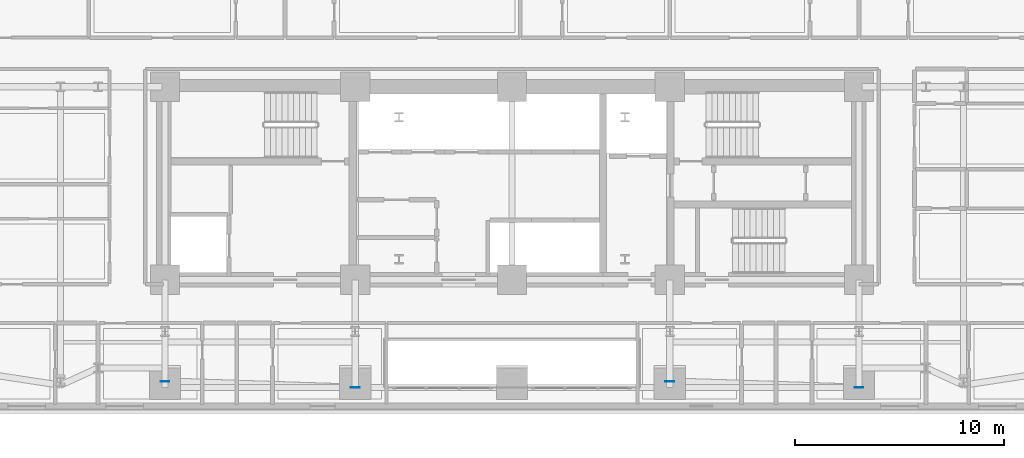
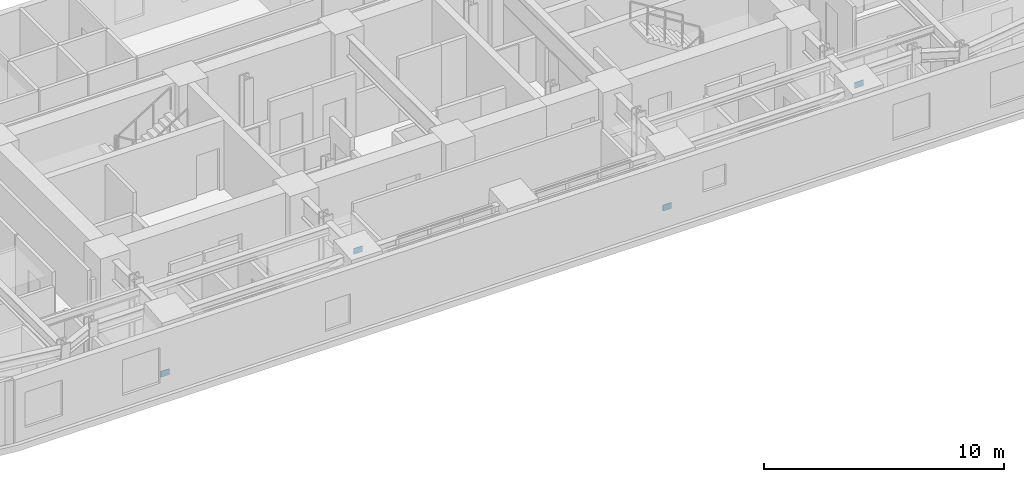
# One storey, part 6 of 15: 4 plates.
"""IFC4 building model written with IfcOpenShell, lengths in metres."""

from ifc_helpers import new_model, si_unit, direction, frame, origin, origin_2d, place, context, subcontext, project, spatial, rectangle, extrude, material, layer, layer_set, type_object, element, save


model = new_model("IFC4")

# Units and contexts
model_context = context("Model", 3, precision=1e-05, world=origin(), true_north=direction((0.0, 1.0)))
body_context = subcontext(model_context, "Body", "Model", "MODEL_VIEW")
ifc_project = project(units=[si_unit("LENGTHUNIT", "METRE"), si_unit("AREAUNIT", "SQUARE_METRE"), si_unit("VOLUMEUNIT", "CUBIC_METRE"), si_unit("PLANEANGLEUNIT", "RADIAN"), si_unit("MASSUNIT", "GRAM", prefix="KILO")], contexts=[model_context])

# Site, building, storey
site_placement = place(None, origin())
site = spatial("IfcSite", under=ifc_project, at=site_placement, CompositionType="ELEMENT")
building_placement = place(site_placement, origin())
building = spatial("IfcBuilding", under=site, at=building_placement, Name="Zarnavel Station Tower", CompositionType="ELEMENT")
storey_placement = place(building_placement, frame((0.0, 0.0, 36.0)))
storey = spatial("IfcBuildingStorey", under=building, at=storey_placement, Name="L09", CompositionType="ELEMENT", Elevation=36.0)

# Plates
ifc_material = material(Name="Steel S460M", Category="steel")
ifc_layer = layer(ifc_material, 0.02490234375)
ifc_layer_set = layer_set([ifc_layer], Name="GP_GUSSET_25")
plate_type = type_object("IfcPlateType", Name="GP_GUSSET_25", PredefinedType="USERDEFINED", material=ifc_layer_set)
for number, where, z_axis, x_axis, name in (
    (1, (12.199951171875, 22.9658203125, -0.14990234375), (0.0, 0.0, 1.0), (1.0, 0.0, 0.0), "L09 Exterior Diagonal Brace End Gusset 1-1"),
    (2, (21.300048828125, 22.672119140625, 3.08984375), (0.0, 0.0, 1.0), (1.0, 0.0, 0.0), "L09 Exterior Diagonal Brace End Gusset 1-2"),
    (3, (36.35009765625, 22.9658203125, -0.14990234375), (0.0, 0.0, 1.0), (1.0, 0.0, 0.0), "L09 Exterior Diagonal Brace End Gusset 2-1"),
    (4, (45.39990234375, 22.672119140625, 3.08984375), (0.0, 0.0, 1.0), (1.0, 0.0, 0.0), "L09 Exterior Diagonal Brace End Gusset 2-2"),
):
    element("IfcPlate", number, at=place(storey_placement, frame(where, z_axis=z_axis, x_axis=x_axis)), inside=storey, type_object=plate_type, Name=name, ObjectType="GUSSET_PLATE", PredefinedType="USERDEFINED", context=body_context, shape_type="SweptSolid", body=[
        extrude(rectangle(XDim=0.419921875, YDim=0.02490234375, at=origin_2d()), origin(), (0.0, 0.0, 1.0), 0.300048828125),
    ])

save(model, "model.ifc")
